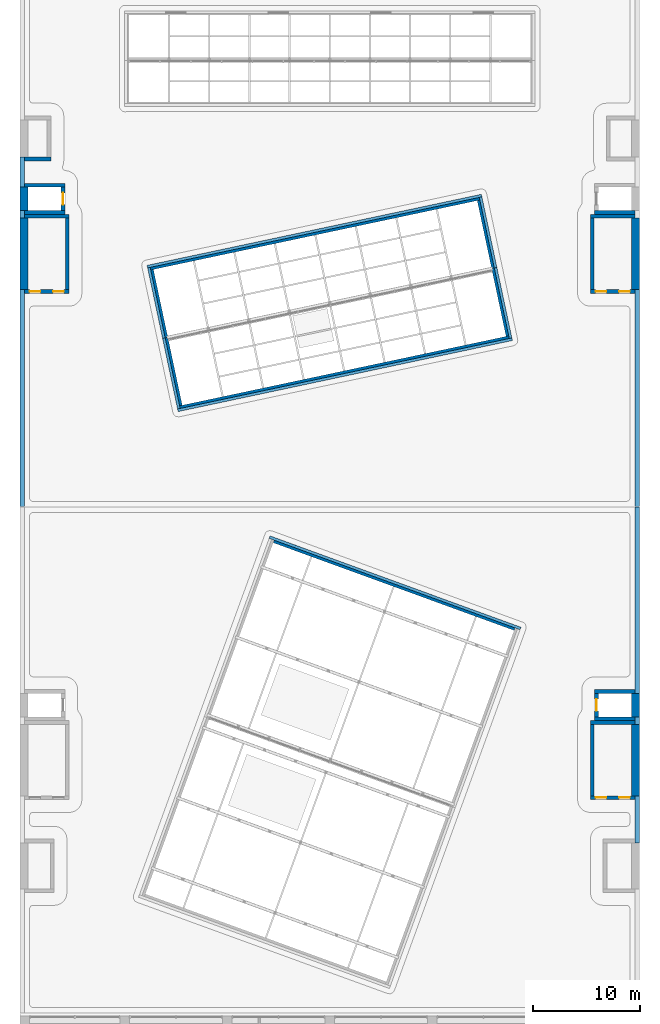
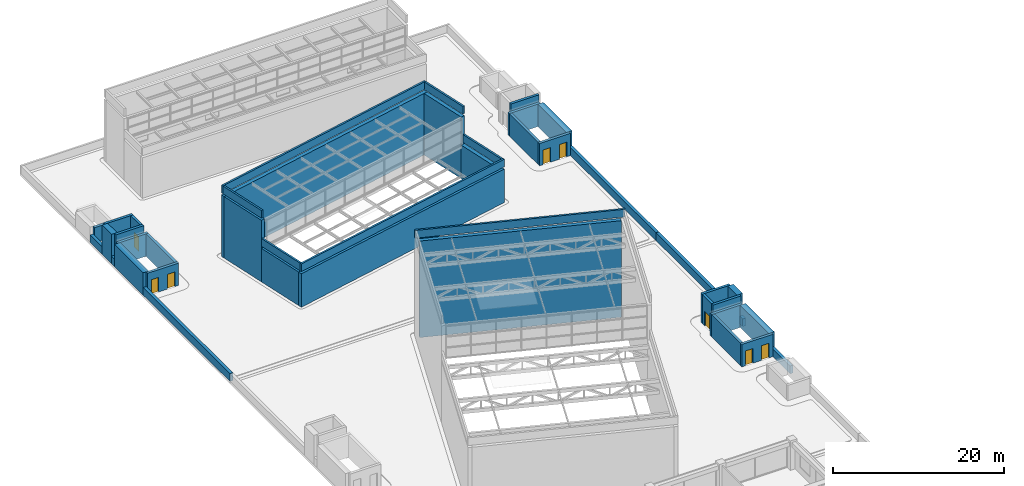
# One storey, part 63 of 72: 43 walls, 8 doors, 8 openings.
"""IFC4 building model written with IfcOpenShell, lengths in metres."""

from ifc_helpers import new_model, si_unit, direction, frame, frame_2d, origin, place, context, subcontext, project, spatial, rectangle, extrude, material, layer, layer_set, layer_usage, type_object, element, fill, save


model = new_model("IFC4")

# Units and contexts
model_context = context("Model", 3, precision=1e-05, world=origin(), true_north=direction((0.0, 1.0)))
body_context = subcontext(model_context, "Body", "Model", "MODEL_VIEW")
ifc_project = project(units=[si_unit("LENGTHUNIT", "METRE"), si_unit("AREAUNIT", "SQUARE_METRE"), si_unit("VOLUMEUNIT", "CUBIC_METRE"), si_unit("PLANEANGLEUNIT", "RADIAN"), si_unit("MASSUNIT", "GRAM", prefix="KILO")], contexts=[model_context])

# Site, building, storey
site_placement = place(None, origin())
site = spatial("IfcSite", under=ifc_project, at=site_placement, CompositionType="ELEMENT")
building_placement = place(site_placement, origin())
building = spatial("IfcBuilding", under=site, at=building_placement, Name="Nzadi Deep Aquarium and Research Tower", CompositionType="ELEMENT")
storey_placement = place(building_placement, frame((0.0, 0.0, 31.89990234375)))
storey = spatial("IfcBuildingStorey", under=building, at=storey_placement, Name="L05", CompositionType="ELEMENT", Elevation=31.89990234375)

# Walls
ifc_material_1 = material(Name="Graphite aluminium shingle", Category="aluminium")
ifc_layer_1 = layer(ifc_material_1, 0.050048828125, Category="cladding")
ifc_material_2 = material(Name="Concrete C35/45", Category="concrete")
ifc_layer_2 = layer(ifc_material_2, 0.199951171875, Category="structure")
ifc_layer_set_1 = layer_set([ifc_layer_1, ifc_layer_2], Name="Graphite aluminium shingle, Concrete C35/45")
ifc_layer_usage_1 = layer_usage(ifc_layer_set_1, "AXIS2", "POSITIVE", -0.125)
wall_type_1 = type_object("IfcWallType", Name="Parapet board-formed concrete 250 blade north roof", PredefinedType="PARAPET", material=ifc_layer_set_1)
wall_1_placement = place(storey_placement, frame((43.02099609375, 123.25146484375, 9.10009765625), z_axis=(0.0, 0.0, 1.0), x_axis=(-0.978146749934, -0.207915693476, 0.0)))
element("IfcWall", 1, at=wall_1_placement, inside=storey, type_object=wall_type_1, material=ifc_layer_usage_1, Name="Parapet", PredefinedType="PARAPET", context=body_context, shape_type="SweptSolid", body=[
    extrude(rectangle(XDim=32.0, YDim=0.25, at=frame_2d((16.0, 0.0))), origin(), (0.0, 0.0, 1.0), 1.10009765625),
])
ifc_layer_usage_2 = layer_usage(ifc_layer_set_1, "AXIS2", "POSITIVE", -0.125)
wall_2_placement = place(storey_placement, frame((44.328125, 116.50048828125, 9.10009765625), z_axis=(0.0, 0.0, 1.0), x_axis=(-0.207898552739, 0.978150393226, 0.0)))
element("IfcWall", 2, at=wall_2_placement, inside=storey, type_object=wall_type_1, material=ifc_layer_usage_2, Name="Parapet", PredefinedType="PARAPET", context=body_context, shape_type="SweptSolid", body=[
    extrude(rectangle(XDim=6.75, YDim=0.25, at=frame_2d((3.375, 0.0))), origin(), (0.0, 0.0, 1.0), 1.10009765625),
])
ifc_layer_usage_3 = layer_usage(ifc_layer_set_1, "AXIS2", "POSITIVE", -0.125)
wall_3_placement = place(storey_placement, frame((11.868408203125, 116.501953125, 9.10009765625), z_axis=(0.0, 0.0, 1.0), x_axis=(0.207933157916, -0.978143037515, 0.0)))
element("IfcWall", 3, at=wall_3_placement, inside=storey, type_object=wall_type_1, material=ifc_layer_usage_3, Name="Parapet", PredefinedType="PARAPET", context=body_context, shape_type="SweptSolid", body=[
    extrude(rectangle(XDim=6.75, YDim=0.25, at=frame_2d((3.375, 0.0))), origin(), (0.0, 0.0, 1.0), 1.10009765625),
])
ifc_layer_3 = layer(ifc_material_1, 0.050048828125, Category="cladding")
ifc_layer_4 = layer(ifc_material_2, 0.199951171875, Category="structure")
ifc_layer_set_2 = layer_set([ifc_layer_3, ifc_layer_4], Name="Graphite aluminium shingle, Concrete C35/45")
ifc_layer_usage_4 = layer_usage(ifc_layer_set_2, "AXIS2", "POSITIVE", -0.125)
wall_type_2 = type_object("IfcWallType", Name="Parapet board-formed concrete 250 blade south roof", PredefinedType="PARAPET", material=ifc_layer_set_2)
wall_4_placement = place(storey_placement, frame((14.5791015625, 103.148681640625, 5.10009765625), z_axis=(0.0, 0.0, 1.0), x_axis=(0.978148301511, 0.207908393895, 0.0)))
element("IfcWall", 4, at=wall_4_placement, inside=storey, type_object=wall_type_2, material=ifc_layer_usage_4, Name="Parapet", PredefinedType="PARAPET", context=body_context, shape_type="SweptSolid", body=[
    extrude(rectangle(XDim=32.0, YDim=0.25, at=frame_2d((16.0, 0.0))), origin(), (0.0, 0.0, 1.0), 1.10009765625),
])
ifc_layer_usage_5 = layer_usage(ifc_layer_set_2, "AXIS2", "POSITIVE", -0.125)
wall_5_placement = place(storey_placement, frame((45.7314453125, 109.898193359375, 5.10009765625), z_axis=(0.0, 0.0, 1.0), x_axis=(-0.207905908148, 0.97814882986, 0.0)))
element("IfcWall", 5, at=wall_5_placement, inside=storey, type_object=wall_type_2, material=ifc_layer_usage_5, Name="Parapet", PredefinedType="PARAPET", context=body_context, shape_type="SweptSolid", body=[
    extrude(rectangle(XDim=6.749755859375, YDim=0.25, at=frame_2d((3.375, 0.0))), origin(), (0.0, 0.0, 1.0), 1.10009765625),
])
ifc_layer_usage_6 = layer_usage(ifc_layer_set_2, "AXIS2", "POSITIVE", -0.125)
wall_6_placement = place(storey_placement, frame((13.27197265625, 109.8994140625, 5.10009765625), z_axis=(0.0, 0.0, 1.0), x_axis=(0.207898552739, -0.978150393226, 0.0)))
element("IfcWall", 6, at=wall_6_placement, inside=storey, type_object=wall_type_2, material=ifc_layer_usage_6, Name="Parapet", PredefinedType="PARAPET", context=body_context, shape_type="SweptSolid", body=[
    extrude(rectangle(XDim=6.75, YDim=0.25, at=frame_2d((3.375, 0.0))), origin(), (0.0, 0.0, 1.0), 1.10009765625),
])
ifc_layer_5 = layer(ifc_material_1, 0.050048828125, Category="cladding")
ifc_layer_6 = layer(ifc_material_2, 0.199951171875, Category="structure")
ifc_layer_set_3 = layer_set([ifc_layer_5, ifc_layer_6], Name="Graphite aluminium shingle, Concrete C35/45")
ifc_layer_usage_7 = layer_usage(ifc_layer_set_3, "AXIS2", "POSITIVE", -0.125)
wall_type_3 = type_object("IfcWallType", Name="Parapet board-formed concrete 250 prism north roof", PredefinedType="PARAPET", material=ifc_layer_set_3)
wall_7_placement = place(storey_placement, frame((46.659912109375, 82.7216796875, 14.10009765625), z_axis=(0.0, 0.0, 1.0), x_axis=(-0.939692733123, 0.342019834681, 0.0)))
element("IfcWall", 7, at=wall_7_placement, inside=storey, type_object=wall_type_3, material=ifc_layer_usage_7, Name="Parapet", PredefinedType="PARAPET", context=body_context, shape_type="SweptSolid", body=[
    extrude(rectangle(XDim=25.0, YDim=0.25, at=frame_2d((12.5, 0.0))), origin(), (0.0, 0.0, 1.0), 1.10009765625),
])
ifc_layer_7 = layer(ifc_material_2, 0.39990234375, Category="structure")
ifc_layer_set_4 = layer_set([ifc_layer_7], Name="Concrete C35/45")
ifc_layer_usage_8 = layer_usage(ifc_layer_set_4, "AXIS2", "POSITIVE", -0.199951171875)
wall_type_4 = type_object("IfcWallType", Name="Parapet board-formed concrete 400 podium roof", PredefinedType="PARAPET", material=ifc_layer_set_4)
wall_8_placement = place(storey_placement, frame((57.599609375, 94.1201171875, 0.0), z_axis=(0.0, 0.0, 1.0), x_axis=(0.0, 1.0, 0.0)))
element("IfcWall", 8, at=wall_8_placement, inside=storey, type_object=wall_type_4, material=ifc_layer_usage_8, Name="Parapet", PredefinedType="PARAPET", context=body_context, shape_type="SweptSolid", body=[
    extrude(rectangle(XDim=20.329833984375, YDim=0.39990234375, at=frame_2d((10.1650390625, 0.0))), origin(), (0.0, 0.0, 1.0), 1.10009765625),
])
ifc_layer_usage_9 = layer_usage(ifc_layer_set_4, "AXIS2", "POSITIVE", -0.199951171875)
wall_9_placement = place(storey_placement, frame((0.00048828125, 114.449951171875, 0.0), z_axis=(0.0, 0.0, 1.0), x_axis=(0.0, -1.0, 0.0)))
element("IfcWall", 9, at=wall_9_placement, inside=storey, type_object=wall_type_4, material=ifc_layer_usage_9, Name="Parapet", PredefinedType="PARAPET", context=body_context, shape_type="SweptSolid", body=[
    extrude(rectangle(XDim=20.329833984375, YDim=0.39990234375, at=frame_2d((10.1650390625, 0.0))), origin(), (0.0, 0.0, 1.0), 1.10009765625),
])
ifc_layer_usage_10 = layer_usage(ifc_layer_set_4, "AXIS2", "POSITIVE", -0.199951171875)
wall_10_placement = place(storey_placement, frame((0.00048828125, 121.85009765625, 0.0), z_axis=(0.0, 0.0, 1.0), x_axis=(0.0, -1.0, 0.0)))
element("IfcWall", 10, at=wall_10_placement, inside=storey, type_object=wall_type_4, material=ifc_layer_usage_10, Name="Parapet", PredefinedType="PARAPET", context=body_context, shape_type="SweptSolid", body=[
    extrude(rectangle(XDim=0.7001953125, YDim=0.39990234375, at=frame_2d((0.35009765625, 0.0))), origin(), (0.0, 0.0, 1.0), 1.10009765625),
])
ifc_layer_usage_11 = layer_usage(ifc_layer_set_4, "AXIS2", "POSITIVE", -0.199951171875)
wall_11_placement = place(storey_placement, frame((0.00048828125, 126.85009765625, 0.0), z_axis=(0.0, 0.0, 1.0), x_axis=(0.0, -1.0, 0.0)))
element("IfcWall", 11, at=wall_11_placement, inside=storey, type_object=wall_type_4, material=ifc_layer_usage_11, Name="Parapet", PredefinedType="PARAPET", context=body_context, shape_type="SweptSolid", body=[
    extrude(rectangle(XDim=2.800048828125, YDim=0.39990234375, at=frame_2d((1.39990234375, 0.0))), origin(), (0.0, 0.0, 1.0), 1.10009765625),
])
ifc_layer_usage_12 = layer_usage(ifc_layer_set_4, "AXIS2", "POSITIVE", -0.199951171875)
wall_12_placement = place(storey_placement, frame((57.599609375, 62.64990234375, 0.0), z_axis=(0.0, 0.0, 1.0), x_axis=(0.0, 1.0, 0.0)))
element("IfcWall", 12, at=wall_12_placement, inside=storey, type_object=wall_type_4, material=ifc_layer_usage_12, Name="Parapet", PredefinedType="PARAPET", context=body_context, shape_type="SweptSolid", body=[
    extrude(rectangle(XDim=4.400146484375, YDim=0.39990234375, at=frame_2d((2.2001953125, 0.0))), origin(), (0.0, 0.0, 1.0), 1.10009765625),
])
ifc_layer_usage_13 = layer_usage(ifc_layer_set_4, "AXIS2", "POSITIVE", -0.199951171875)
wall_13_placement = place(storey_placement, frame((57.599609375, 73.75, 0.0), z_axis=(0.0, 0.0, 1.0), x_axis=(0.0, 1.0, 0.0)))
element("IfcWall", 13, at=wall_13_placement, inside=storey, type_object=wall_type_4, material=ifc_layer_usage_13, Name="Parapet", PredefinedType="PARAPET", context=body_context, shape_type="SweptSolid", body=[
    extrude(rectangle(XDim=0.699951171875, YDim=0.39990234375, at=frame_2d((0.35009765625, 0.0))), origin(), (0.0, 0.0, 1.0), 1.10009765625),
])
ifc_layer_usage_14 = layer_usage(ifc_layer_set_4, "AXIS2", "POSITIVE", -0.199951171875)
wall_14_placement = place(storey_placement, frame((57.599609375, 76.64990234375, 0.0), z_axis=(0.0, 0.0, 1.0), x_axis=(0.0, 1.0, 0.0)))
element("IfcWall", 14, at=wall_14_placement, inside=storey, type_object=wall_type_4, material=ifc_layer_usage_14, Name="Parapet", PredefinedType="PARAPET", context=body_context, shape_type="SweptSolid", body=[
    extrude(rectangle(XDim=17.43017578125, YDim=0.39990234375, at=frame_2d((8.715087890625, 0.0))), origin(), (0.0, 0.0, 1.0), 1.10009765625),
])
ifc_material_3 = material(Name="Concrete C35/45", Category="concrete")
ifc_layer_8 = layer(ifc_material_3, 0.35009765625)
ifc_layer_set_5 = layer_set([ifc_layer_8], Name="Concrete C35/45")
wall_type_5 = type_object("IfcWallType", Name="RC core wall 350", PredefinedType="SHEAR", material=ifc_layer_set_5)
for number, where, z_axis, x_axis, name in (
    (15, (53.60009765625, 74.27490234375, 0.0), (0.0, 0.0, 1.0), (1.0, 0.0, 0.0), "W-CORE-PL4-L05-S"),
    (16, (53.60009765625, 76.824951171875, 0.0), (0.0, 0.0, 1.0), (1.0, 0.0, 0.0), "W-CORE-PL4-L05-N"),
):
    element("IfcWall", number, at=place(storey_placement, frame(where, z_axis=z_axis, x_axis=x_axis)), inside=storey, type_object=wall_type_5, Name=name, PredefinedType="SHEAR", context=body_context, shape_type="SweptSolid", body=[
        extrude(rectangle(XDim=3.7998046875, YDim=0.35009765625, at=frame_2d((1.89990234375, 0.0))), origin(), (0.0, 0.0, 1.0), 4.2001953125),
    ])

# Wall, opening, door
wall_15_placement = place(storey_placement, frame((53.77490234375, 74.449951171875, 0.0), z_axis=(0.0, 0.0, 1.0), x_axis=(0.0, 1.0, 0.0)))
wall_15 = element("IfcWall", 17, at=wall_15_placement, inside=storey, type_object=wall_type_5, Name="W-CORE-PL4-L05-W", PredefinedType="SHEAR", context=body_context, shape_type="SweptSolid", body=[
    extrude(rectangle(XDim=2.199951171875, YDim=0.35009765625, at=frame_2d((1.10009765625, 0.0))), origin(), (0.0, 0.0, 1.0), 4.2001953125),
])
opening_1_placement = place(wall_15_placement, frame((0.550048828125, 0.0, 0.0)))
opening_1 = element("IfcOpeningElement", 18, at=opening_1_placement, cuts=wall_15, Name="Opening LD-PL4-L05", PredefinedType="OPENING", context=body_context, shape_type="SweptSolid", body=[
    extrude(rectangle(XDim=1.10009765625, YDim=2.10009765625, at=frame_2d((0.550048828125, 1.050048828125))), frame((0.0, 0.18505859375, 0.0), z_axis=(0.0, -1.0, 0.0), x_axis=(1.0, 0.0, 0.0)), (0.0, 0.0, 1.0), 0.3701171875),
])
ifc_material_4 = material(Name="Stainless steel 1.4301", Category="steel")
door_type_1 = type_object("IfcDoorType", Name="LANDING DOOR 1100x2100", OperationType="DOUBLE_DOOR_SLIDING", PredefinedType="DOOR", material=ifc_material_4)
door_1_placement = place(opening_1_placement, origin())
door_1 = element("IfcDoor", 19, at=door_1_placement, inside=storey, type_object=door_type_1, Name="Landing door PL4 L05", OperationType="DOUBLE_DOOR_SLIDING", OverallHeight=2.10009765625, OverallWidth=1.10009765625, PredefinedType="DOOR", context=body_context, shape_type="SweptSolid", body=[
    extrude(rectangle(XDim=1.10009765625, YDim=2.10009765625, at=frame_2d((0.550048828125, 1.050048828125))), frame((0.0, 0.02490234375, 0.0), z_axis=(0.0, -1.0, 0.0), x_axis=(1.0, 0.0, 0.0)), (0.0, 0.0, 1.0), 0.050048828125),
])
fill(opening_1, door_1)

# Walls
for number, where, z_axis, x_axis, name in (
    (20, (0.199951171875, 121.675048828125, 0.0), (0.0, 0.0, 1.0), (1.0, 0.0, 0.0), "W-CORE-PL5-L05-S"),
    (21, (0.199951171875, 124.22509765625, 0.0), (0.0, 0.0, 1.0), (1.0, 0.0, 0.0), "W-CORE-PL5-L05-N"),
):
    element("IfcWall", number, at=place(storey_placement, frame(where, z_axis=z_axis, x_axis=x_axis)), inside=storey, type_object=wall_type_5, Name=name, PredefinedType="SHEAR", context=body_context, shape_type="SweptSolid", body=[
        extrude(rectangle(XDim=3.800048828125, YDim=0.35009765625, at=frame_2d((1.89990234375, 0.0))), origin(), (0.0, 0.0, 1.0), 4.2001953125),
    ])

# Wall, opening, door
wall_16_placement = place(storey_placement, frame((3.824951171875, 121.85009765625, 0.0), z_axis=(0.0, 0.0, 1.0), x_axis=(0.0, 1.0, 0.0)))
wall_16 = element("IfcWall", 22, at=wall_16_placement, inside=storey, type_object=wall_type_5, Name="W-CORE-PL5-L05-E", PredefinedType="SHEAR", context=body_context, shape_type="SweptSolid", body=[
    extrude(rectangle(XDim=2.199951171875, YDim=0.35009765625, at=frame_2d((1.10009765625, 0.0))), origin(), (0.0, 0.0, 1.0), 4.2001953125),
])
opening_2_placement = place(wall_16_placement, frame((0.550048828125, 0.0, 0.0)))
opening_2 = element("IfcOpeningElement", 23, at=opening_2_placement, cuts=wall_16, Name="Opening LD-PL5-L05", PredefinedType="OPENING", context=body_context, shape_type="SweptSolid", body=[
    extrude(rectangle(XDim=1.10009765625, YDim=2.10009765625, at=frame_2d((0.550048828125, 1.050048828125))), frame((0.0, 0.18505859375, 0.0), z_axis=(0.0, -1.0, 0.0), x_axis=(1.0, 0.0, 0.0)), (0.0, 0.0, 1.0), 0.3701171875),
])
door_2_placement = place(opening_2_placement, origin())
door_2 = element("IfcDoor", 24, at=door_2_placement, inside=storey, type_object=door_type_1, Name="Landing door PL5 L05", OperationType="DOUBLE_DOOR_SLIDING", OverallHeight=2.10009765625, OverallWidth=1.10009765625, PredefinedType="DOOR", context=body_context, shape_type="SweptSolid", body=[
    extrude(rectangle(XDim=1.10009765625, YDim=2.10009765625, at=frame_2d((0.550048828125, 1.050048828125))), frame((0.0, 0.02490234375, 0.0), z_axis=(0.0, -1.0, 0.0), x_axis=(1.0, 0.0, 0.0)), (0.0, 0.0, 1.0), 0.050048828125),
])
fill(opening_2, door_2)

# Walls
wall_17_placement = place(storey_placement, frame((53.60009765625, 121.675048828125, 0.0), z_axis=(0.0, 0.0, 1.0), x_axis=(1.0, 0.0, 0.0)))
element("IfcWall", 25, at=wall_17_placement, inside=storey, type_object=wall_type_5, Name="W-CORE-PL6-L05-S", PredefinedType="SHEAR", context=body_context, shape_type="SweptSolid", body=[
    extrude(rectangle(XDim=3.7998046875, YDim=0.35009765625, at=frame_2d((1.89990234375, 0.0))), origin(), (0.0, 0.0, 1.0), 4.2001953125),
])
ifc_material_5 = material(Name="Concrete C35/45", Category="concrete")
ifc_layer_9 = layer(ifc_material_5, 0.35009765625)
ifc_layer_set_6 = layer_set([ifc_layer_9], Name="Concrete C35/45")
wall_type_6 = type_object("IfcWallType", Name="RC core wall 350, 2.20 m high", PredefinedType="SHEAR", material=ifc_layer_set_6)
wall_18_placement = place(storey_placement, frame((0.199951171875, 126.675048828125, 0.0), z_axis=(0.0, 0.0, 1.0), x_axis=(1.0, 0.0, 0.0)))
element("IfcWall", 26, at=wall_18_placement, inside=storey, type_object=wall_type_6, Name="W-CORE-RS-Z3-W-L05-S", PredefinedType="SHEAR", context=body_context, shape_type="SweptSolid", body=[
    extrude(rectangle(XDim=2.5, YDim=0.35009765625, at=frame_2d((1.25, 0.0))), origin(), (0.0, 0.0, 1.0), 2.2001953125),
])

# Wall, openings, doors
ifc_material_6 = material(Name="Concrete C35/45", Category="concrete")
ifc_layer_10 = layer(ifc_material_6, 0.35009765625)
ifc_layer_set_7 = layer_set([ifc_layer_10], Name="Concrete C35/45")
wall_type_7 = type_object("IfcWallType", Name="RC core wall 350, 3.20 m high", PredefinedType="SHEAR", material=ifc_layer_set_7)
wall_19_placement = place(storey_placement, frame((53.199951171875, 66.875, 0.0), z_axis=(0.0, 0.0, 1.0), x_axis=(1.0, 0.0, 0.0)))
wall_19 = element("IfcWall", 27, at=wall_19_placement, inside=storey, type_object=wall_type_7, Name="W-CORE-ST-Z2-E-L05-S", PredefinedType="SHEAR", context=body_context, shape_type="SweptSolid", body=[
    extrude(rectangle(XDim=4.199951171875, YDim=0.35009765625, at=frame_2d((2.10009765625, 0.0))), origin(), (0.0, 0.0, 1.0), 3.2001953125),
])
opening_3_placement = place(wall_19_placement, frame((0.5, 0.0, 0.0)))
opening_3 = element("IfcOpeningElement", 28, at=opening_3_placement, cuts=wall_19, Name="Opening DS-Z2-E-L05A", PredefinedType="OPENING", context=body_context, shape_type="SweptSolid", body=[
    extrude(rectangle(XDim=1.0, YDim=2.10009765625, at=frame_2d((0.5, 1.050048828125))), frame((0.0, 0.18505859375, 0.0), z_axis=(0.0, -1.0, 0.0), x_axis=(1.0, 0.0, 0.0)), (0.0, 0.0, 1.0), 0.3701171875),
])
opening_4_placement = place(wall_19_placement, frame((2.699951171875, 0.0, 0.0)))
opening_4 = element("IfcOpeningElement", 29, at=opening_4_placement, cuts=wall_19, Name="Opening DS-Z2-E-L05B", PredefinedType="OPENING", context=body_context, shape_type="SweptSolid", body=[
    extrude(rectangle(XDim=1.0, YDim=2.10009765625, at=frame_2d((0.5, 1.050048828125))), frame((0.0, 0.18505859375, 0.0), z_axis=(0.0, -1.0, 0.0), x_axis=(1.0, 0.0, 0.0)), (0.0, 0.0, 1.0), 0.3701171875),
])
ifc_material_7 = material(Name="Steel, powder coated", Category="steel")
door_type_2 = type_object("IfcDoorType", Name="STAIR DOOR 1000x2100 EI 60", OperationType="SINGLE_SWING_LEFT", PredefinedType="DOOR", material=ifc_material_7)
door_3_placement = place(opening_3_placement, frame((1.0, 0.0, 0.0), z_axis=(0.0, 0.0, 1.0), x_axis=(-1.0, 0.0, 0.0)))
door_3 = element("IfcDoor", 30, at=door_3_placement, inside=storey, type_object=door_type_2, Name="Stair door ST-Z2-E head-house A", OperationType="SINGLE_SWING_LEFT", OverallHeight=2.10009765625, OverallWidth=1.0, PredefinedType="DOOR", context=body_context, shape_type="SweptSolid", body=[
    extrude(rectangle(XDim=1.0, YDim=2.10009765625, at=frame_2d((0.5, 1.050048828125))), frame((0.0, 0.02490234375, 0.0), z_axis=(0.0, -1.0, 0.0), x_axis=(1.0, 0.0, 0.0)), (0.0, 0.0, 1.0), 0.050048828125),
])
fill(opening_3, door_3)
door_4_placement = place(opening_4_placement, frame((1.0, 0.0, 0.0), z_axis=(0.0, 0.0, 1.0), x_axis=(-1.0, 0.0, 0.0)))
door_4 = element("IfcDoor", 31, at=door_4_placement, inside=storey, type_object=door_type_2, Name="Stair door ST-Z2-E head-house B", OperationType="SINGLE_SWING_RIGHT", OverallHeight=2.10009765625, OverallWidth=1.0, PredefinedType="DOOR", context=body_context, shape_type="SweptSolid", body=[
    extrude(rectangle(XDim=1.0, YDim=2.10009765625, at=frame_2d((0.5, 1.050048828125))), frame((0.0, 0.02490234375, 0.0), z_axis=(0.0, -1.0, 0.0), x_axis=(1.0, 0.0, 0.0)), (0.0, 0.0, 1.0), 0.050048828125),
])
fill(opening_4, door_4)

# Walls
wall_20_placement = place(storey_placement, frame((53.199951171875, 73.925048828125, 0.0), z_axis=(0.0, 0.0, 1.0), x_axis=(1.0, 0.0, 0.0)))
element("IfcWall", 32, at=wall_20_placement, inside=storey, type_object=wall_type_7, Name="W-CORE-ST-Z2-E-L05-N", PredefinedType="SHEAR", context=body_context, shape_type="SweptSolid", body=[
    extrude(rectangle(XDim=4.199951171875, YDim=0.35009765625, at=frame_2d((2.10009765625, 0.0))), origin(), (0.0, 0.0, 1.0), 3.2001953125),
])
wall_21_placement = place(storey_placement, frame((53.375, 67.050048828125, 0.0), z_axis=(0.0, 0.0, 1.0), x_axis=(0.0, 1.0, 0.0)))
element("IfcWall", 33, at=wall_21_placement, inside=storey, type_object=wall_type_7, Name="W-CORE-ST-Z2-E-L05-W", PredefinedType="SHEAR", context=body_context, shape_type="SweptSolid", body=[
    extrude(rectangle(XDim=6.699951171875, YDim=0.35009765625, at=frame_2d((3.35009765625, 0.0))), origin(), (0.0, 0.0, 1.0), 3.2001953125),
])

# Wall, openings, doors
wall_22_placement = place(storey_placement, frame((0.199951171875, 114.27490234375, 0.0), z_axis=(0.0, 0.0, 1.0), x_axis=(1.0, 0.0, 0.0)))
wall_22 = element("IfcWall", 34, at=wall_22_placement, inside=storey, type_object=wall_type_7, Name="W-CORE-ST-Z3-W-L05-S", PredefinedType="SHEAR", context=body_context, shape_type="SweptSolid", body=[
    extrude(rectangle(XDim=4.199951171875, YDim=0.35009765625, at=frame_2d((2.10009765625, 0.0))), origin(), (0.0, 0.0, 1.0), 3.2001953125),
])
opening_5_placement = place(wall_22_placement, frame((0.5, 0.0, 0.0)))
opening_5 = element("IfcOpeningElement", 35, at=opening_5_placement, cuts=wall_22, Name="Opening DS-Z3-W-L05A", PredefinedType="OPENING", context=body_context, shape_type="SweptSolid", body=[
    extrude(rectangle(XDim=1.0, YDim=2.10009765625, at=frame_2d((0.5, 1.050048828125))), frame((0.0, 0.18505859375, 0.0), z_axis=(0.0, -1.0, 0.0), x_axis=(1.0, 0.0, 0.0)), (0.0, 0.0, 1.0), 0.3701171875),
])
opening_6_placement = place(wall_22_placement, frame((2.699951171875, 0.0, 0.0)))
opening_6 = element("IfcOpeningElement", 36, at=opening_6_placement, cuts=wall_22, Name="Opening DS-Z3-W-L05B", PredefinedType="OPENING", context=body_context, shape_type="SweptSolid", body=[
    extrude(rectangle(XDim=1.0, YDim=2.10009765625, at=frame_2d((0.5, 1.050048828125))), frame((0.0, 0.18505859375, 0.0), z_axis=(0.0, -1.0, 0.0), x_axis=(1.0, 0.0, 0.0)), (0.0, 0.0, 1.0), 0.3701171875),
])
door_5_placement = place(opening_5_placement, frame((1.0, 0.0, 0.0), z_axis=(0.0, 0.0, 1.0), x_axis=(-1.0, 0.0, 0.0)))
door_5 = element("IfcDoor", 37, at=door_5_placement, inside=storey, type_object=door_type_2, Name="Stair door ST-Z3-W head-house A", OperationType="SINGLE_SWING_LEFT", OverallHeight=2.10009765625, OverallWidth=1.0, PredefinedType="DOOR", context=body_context, shape_type="SweptSolid", body=[
    extrude(rectangle(XDim=1.0, YDim=2.10009765625, at=frame_2d((0.5, 1.050048828125))), frame((0.0, 0.02490234375, 0.0), z_axis=(0.0, -1.0, 0.0), x_axis=(1.0, 0.0, 0.0)), (0.0, 0.0, 1.0), 0.050048828125),
])
fill(opening_5, door_5)
door_6_placement = place(opening_6_placement, frame((1.0, 0.0, 0.0), z_axis=(0.0, 0.0, 1.0), x_axis=(-1.0, 0.0, 0.0)))
door_6 = element("IfcDoor", 38, at=door_6_placement, inside=storey, type_object=door_type_2, Name="Stair door ST-Z3-W head-house B", OperationType="SINGLE_SWING_RIGHT", OverallHeight=2.10009765625, OverallWidth=1.0, PredefinedType="DOOR", context=body_context, shape_type="SweptSolid", body=[
    extrude(rectangle(XDim=1.0, YDim=2.10009765625, at=frame_2d((0.5, 1.050048828125))), frame((0.0, 0.02490234375, 0.0), z_axis=(0.0, -1.0, 0.0), x_axis=(1.0, 0.0, 0.0)), (0.0, 0.0, 1.0), 0.050048828125),
])
fill(opening_6, door_6)

# Walls
wall_23_placement = place(storey_placement, frame((0.199951171875, 121.324951171875, 0.0), z_axis=(0.0, 0.0, 1.0), x_axis=(1.0, 0.0, 0.0)))
element("IfcWall", 39, at=wall_23_placement, inside=storey, type_object=wall_type_7, Name="W-CORE-ST-Z3-W-L05-N", PredefinedType="SHEAR", context=body_context, shape_type="SweptSolid", body=[
    extrude(rectangle(XDim=4.199951171875, YDim=0.35009765625, at=frame_2d((2.10009765625, 0.0))), origin(), (0.0, 0.0, 1.0), 3.2001953125),
])
wall_24_placement = place(storey_placement, frame((4.22509765625, 114.449951171875, 0.0), z_axis=(0.0, 0.0, 1.0), x_axis=(0.0, 1.0, 0.0)))
element("IfcWall", 40, at=wall_24_placement, inside=storey, type_object=wall_type_7, Name="W-CORE-ST-Z3-W-L05-E", PredefinedType="SHEAR", context=body_context, shape_type="SweptSolid", body=[
    extrude(rectangle(XDim=6.699951171875, YDim=0.35009765625, at=frame_2d((3.35009765625, 0.0))), origin(), (0.0, 0.0, 1.0), 3.2001953125),
])

# Wall, openings, doors
wall_25_placement = place(storey_placement, frame((53.199951171875, 114.27490234375, 0.0), z_axis=(0.0, 0.0, 1.0), x_axis=(1.0, 0.0, 0.0)))
wall_25 = element("IfcWall", 41, at=wall_25_placement, inside=storey, type_object=wall_type_7, Name="W-CORE-ST-Z3-E-L05-S", PredefinedType="SHEAR", context=body_context, shape_type="SweptSolid", body=[
    extrude(rectangle(XDim=4.199951171875, YDim=0.35009765625, at=frame_2d((2.10009765625, 0.0))), origin(), (0.0, 0.0, 1.0), 3.2001953125),
])
opening_7_placement = place(wall_25_placement, frame((0.5, 0.0, 0.0)))
opening_7 = element("IfcOpeningElement", 42, at=opening_7_placement, cuts=wall_25, Name="Opening DS-Z3-E-L05A", PredefinedType="OPENING", context=body_context, shape_type="SweptSolid", body=[
    extrude(rectangle(XDim=1.0, YDim=2.10009765625, at=frame_2d((0.5, 1.050048828125))), frame((0.0, 0.18505859375, 0.0), z_axis=(0.0, -1.0, 0.0), x_axis=(1.0, 0.0, 0.0)), (0.0, 0.0, 1.0), 0.3701171875),
])
opening_8_placement = place(wall_25_placement, frame((2.699951171875, 0.0, 0.0)))
opening_8 = element("IfcOpeningElement", 43, at=opening_8_placement, cuts=wall_25, Name="Opening DS-Z3-E-L05B", PredefinedType="OPENING", context=body_context, shape_type="SweptSolid", body=[
    extrude(rectangle(XDim=1.0, YDim=2.10009765625, at=frame_2d((0.5, 1.050048828125))), frame((0.0, 0.18505859375, 0.0), z_axis=(0.0, -1.0, 0.0), x_axis=(1.0, 0.0, 0.0)), (0.0, 0.0, 1.0), 0.3701171875),
])
door_7_placement = place(opening_7_placement, frame((1.0, 0.0, 0.0), z_axis=(0.0, 0.0, 1.0), x_axis=(-1.0, 0.0, 0.0)))
door_7 = element("IfcDoor", 44, at=door_7_placement, inside=storey, type_object=door_type_2, Name="Stair door ST-Z3-E head-house A", OperationType="SINGLE_SWING_LEFT", OverallHeight=2.10009765625, OverallWidth=1.0, PredefinedType="DOOR", context=body_context, shape_type="SweptSolid", body=[
    extrude(rectangle(XDim=1.0, YDim=2.10009765625, at=frame_2d((0.5, 1.050048828125))), frame((0.0, 0.02490234375, 0.0), z_axis=(0.0, -1.0, 0.0), x_axis=(1.0, 0.0, 0.0)), (0.0, 0.0, 1.0), 0.050048828125),
])
fill(opening_7, door_7)
door_8_placement = place(opening_8_placement, frame((1.0, 0.0, 0.0), z_axis=(0.0, 0.0, 1.0), x_axis=(-1.0, 0.0, 0.0)))
door_8 = element("IfcDoor", 45, at=door_8_placement, inside=storey, type_object=door_type_2, Name="Stair door ST-Z3-E head-house B", OperationType="SINGLE_SWING_RIGHT", OverallHeight=2.10009765625, OverallWidth=1.0, PredefinedType="DOOR", context=body_context, shape_type="SweptSolid", body=[
    extrude(rectangle(XDim=1.0, YDim=2.10009765625, at=frame_2d((0.5, 1.050048828125))), frame((0.0, 0.02490234375, 0.0), z_axis=(0.0, -1.0, 0.0), x_axis=(1.0, 0.0, 0.0)), (0.0, 0.0, 1.0), 0.050048828125),
])
fill(opening_8, door_8)

# Walls
wall_26_placement = place(storey_placement, frame((53.199951171875, 121.324951171875, 0.0), z_axis=(0.0, 0.0, 1.0), x_axis=(1.0, 0.0, 0.0)))
element("IfcWall", 46, at=wall_26_placement, inside=storey, type_object=wall_type_7, Name="W-CORE-ST-Z3-E-L05-N", PredefinedType="SHEAR", context=body_context, shape_type="SweptSolid", body=[
    extrude(rectangle(XDim=4.199951171875, YDim=0.35009765625, at=frame_2d((2.10009765625, 0.0))), origin(), (0.0, 0.0, 1.0), 3.2001953125),
])
wall_27_placement = place(storey_placement, frame((53.375, 114.449951171875, 0.0), z_axis=(0.0, 0.0, 1.0), x_axis=(0.0, 1.0, 0.0)))
element("IfcWall", 47, at=wall_27_placement, inside=storey, type_object=wall_type_7, Name="W-CORE-ST-Z3-E-L05-W", PredefinedType="SHEAR", context=body_context, shape_type="SweptSolid", body=[
    extrude(rectangle(XDim=6.699951171875, YDim=0.35009765625, at=frame_2d((3.35009765625, 0.0))), origin(), (0.0, 0.0, 1.0), 3.2001953125),
])
ifc_material_8 = material(Name="Concrete C35/45", Category="concrete")
ifc_layer_11 = layer(ifc_material_8, 0.75)
ifc_layer_set_8 = layer_set([ifc_layer_11], Name="Concrete C35/45")
wall_type_8 = type_object("IfcWallType", Name="RC core wall 750", PredefinedType="SHEAR", material=ifc_layer_set_8)
for number, where, z_axis, x_axis, name in (
    (48, (57.424560546875, 74.449951171875, 0.0), (0.0, 0.0, 1.0), (0.0, 1.0, 0.0), "W-CORE-PL4-L05-E"),
    (49, (0.175537109375, 121.85009765625, 0.0), (0.0, 0.0, 1.0), (0.0, 1.0, 0.0), "W-CORE-PL5-L05-W"),
):
    element("IfcWall", number, at=place(storey_placement, frame(where, z_axis=z_axis, x_axis=x_axis)), inside=storey, type_object=wall_type_8, Name=name, PredefinedType="SHEAR", context=body_context, shape_type="SweptSolid", body=[
        extrude(rectangle(XDim=2.199951171875, YDim=0.75, at=frame_2d((1.10009765625, 0.0))), origin(), (0.0, 0.0, 1.0), 4.2001953125),
    ])
ifc_material_9 = material(Name="Concrete C35/45", Category="concrete")
ifc_layer_12 = layer(ifc_material_9, 0.75)
ifc_layer_set_9 = layer_set([ifc_layer_12], Name="Concrete C35/45")
wall_type_9 = type_object("IfcWallType", Name="RC core wall 750, 3.20 m high", PredefinedType="SHEAR", material=ifc_layer_set_9)
for number, where, z_axis, x_axis, name in (
    (50, (57.424560546875, 67.050048828125, 0.0), (0.0, 0.0, 1.0), (0.0, 1.0, 0.0), "W-CORE-ST-Z2-E-L05-E"),
    (51, (0.175537109375, 114.449951171875, 0.0), (0.0, 0.0, 1.0), (0.0, 1.0, 0.0), "W-CORE-ST-Z3-W-L05-W"),
    (52, (57.424560546875, 114.449951171875, 0.0), (0.0, 0.0, 1.0), (0.0, 1.0, 0.0), "W-CORE-ST-Z3-E-L05-E"),
):
    element("IfcWall", number, at=place(storey_placement, frame(where, z_axis=z_axis, x_axis=x_axis)), inside=storey, type_object=wall_type_9, Name=name, PredefinedType="SHEAR", context=body_context, shape_type="SweptSolid", body=[
        extrude(rectangle(XDim=6.699951171875, YDim=0.75, at=frame_2d((3.35009765625, 0.0))), origin(), (0.0, 0.0, 1.0), 3.2001953125),
    ])
ifc_layer_13 = layer(ifc_material_1, 0.050048828125, Category="cladding")
ifc_layer_14 = layer(ifc_material_2, 0.449951171875, Category="structure")
ifc_layer_set_10 = layer_set([ifc_layer_13, ifc_layer_14], Name="Graphite aluminium shingle, Concrete C35/45")
ifc_layer_usage_15 = layer_usage(ifc_layer_set_10, "AXIS2", "POSITIVE", -0.25)
wall_type_10 = type_object("IfcWallType", Name="Shard wall graphite shingle over reinforced concrete 500, 4.80 m high", PredefinedType="SHEAR", material=ifc_layer_set_10)
wall_28_placement = place(storey_placement, frame((14.552978515625, 103.27099609375, 0.0), z_axis=(0.0, 0.0, 1.0), x_axis=(0.978148301511, 0.207908393895, 0.0)))
element("IfcWall", 53, at=wall_28_placement, inside=storey, type_object=wall_type_10, material=ifc_layer_usage_15, Name="W-BL-L05-S", PredefinedType="SHEAR", context=body_context, shape_type="SweptSolid", body=[
    extrude(rectangle(XDim=32.0, YDim=0.5, at=frame_2d((16.0, 0.0))), origin(), (0.0, 0.0, 1.0), 4.800048828125),
])
ifc_layer_usage_16 = layer_usage(ifc_layer_set_10, "AXIS2", "POSITIVE", -0.25)
wall_29_placement = place(storey_placement, frame((14.74560546875, 103.5673828125, 0.0), z_axis=(0.0, 0.0, 1.0), x_axis=(-0.207897388677, 0.978150640638, 0.0)))
element("IfcWall", 54, at=wall_29_placement, inside=storey, type_object=wall_type_10, material=ifc_layer_usage_16, Name="W-BL-L05-W1", PredefinedType="SHEAR", context=body_context, shape_type="SweptSolid", body=[
    extrude(rectangle(XDim=6.5, YDim=0.5, at=frame_2d((3.25, 0.0))), origin(), (0.0, 0.0, 1.0), 4.800048828125),
])
ifc_layer_usage_17 = layer_usage(ifc_layer_set_10, "AXIS2", "POSITIVE", -0.25)
wall_30_placement = place(storey_placement, frame((45.557373046875, 110.11669921875, 0.0), z_axis=(0.0, 0.0, 1.0), x_axis=(-0.207933325345, 0.978143001923, 0.0)))
element("IfcWall", 55, at=wall_30_placement, inside=storey, type_object=wall_type_10, material=ifc_layer_usage_17, Name="W-BL-L05-E1", PredefinedType="SHEAR", context=body_context, shape_type="SweptSolid", body=[
    extrude(rectangle(XDim=6.5, YDim=0.5, at=frame_2d((3.25, 0.0))), origin(), (0.0, 0.0, 1.0), 4.800048828125),
])
ifc_material_10 = material(Name="Pewter aluminium shingle", Category="aluminium")
ifc_layer_15 = layer(ifc_material_10, 0.050048828125, Category="cladding")
ifc_layer_16 = layer(ifc_material_2, 0.449951171875, Category="structure")
ifc_layer_set_11 = layer_set([ifc_layer_15, ifc_layer_16], Name="Pewter aluminium shingle, Concrete C35/45")
ifc_layer_usage_18 = layer_usage(ifc_layer_set_11, "AXIS2", "POSITIVE", -0.25)
wall_type_11 = type_object("IfcWallType", Name="Shard wall pewter shingle over reinforced concrete 500, 13.80 m high", PredefinedType="SHEAR", material=ifc_layer_set_11)
wall_31_placement = place(storey_placement, frame((23.594482421875, 90.98388671875, 0.0), z_axis=(0.0, 0.0, 1.0), x_axis=(0.939692994673, -0.342019116079, 0.0)))
element("IfcWall", 56, at=wall_31_placement, inside=storey, type_object=wall_type_11, material=ifc_layer_usage_18, Name="W-PR-L05-N", PredefinedType="SHEAR", context=body_context, shape_type="SweptSolid", body=[
    extrude(rectangle(XDim=24.0, YDim=0.5, at=frame_2d((12.0, 0.0))), origin(), (0.0, 0.0, 1.0), 13.800048828125),
])
ifc_layer_17 = layer(ifc_material_10, 0.050048828125, Category="cladding")
ifc_layer_18 = layer(ifc_material_2, 0.449951171875, Category="structure")
ifc_layer_set_12 = layer_set([ifc_layer_17, ifc_layer_18], Name="Pewter aluminium shingle, Concrete C35/45")
ifc_layer_usage_19 = layer_usage(ifc_layer_set_12, "AXIS2", "POSITIVE", -0.25)
wall_type_12 = type_object("IfcWallType", Name="Shard wall pewter shingle over reinforced concrete 500, 8.80 m high", PredefinedType="SHEAR", material=ifc_layer_set_12)
wall_32_placement = place(storey_placement, frame((11.746337890625, 116.475830078125, 0.0), z_axis=(0.0, 0.0, 1.0), x_axis=(0.978146420121, 0.207917245089, 0.0)))
element("IfcWall", 57, at=wall_32_placement, inside=storey, type_object=wall_type_12, material=ifc_layer_usage_19, Name="W-BL-L05-N", PredefinedType="SHEAR", context=body_context, shape_type="SweptSolid", body=[
    extrude(rectangle(XDim=31.999755859375, YDim=0.5, at=frame_2d((16.0, 0.0))), origin(), (0.0, 0.0, 1.0), 8.800048828125),
])
ifc_layer_usage_20 = layer_usage(ifc_layer_set_12, "AXIS2", "POSITIVE", -0.25)
wall_33_placement = place(storey_placement, frame((13.394287109375, 109.92529296875, 0.0), z_axis=(0.0, 0.0, 1.0), x_axis=(-0.207925686304, 0.978144625797, 0.0)))
element("IfcWall", 58, at=wall_33_placement, inside=storey, type_object=wall_type_12, material=ifc_layer_usage_20, Name="W-BL-L05-W2", PredefinedType="SHEAR", context=body_context, shape_type="SweptSolid", body=[
    extrude(rectangle(XDim=6.500244140625, YDim=0.5, at=frame_2d((3.25, 0.0))), origin(), (0.0, 0.0, 1.0), 8.800048828125),
])
ifc_layer_usage_21 = layer_usage(ifc_layer_set_12, "AXIS2", "POSITIVE", -0.25)
wall_34_placement = place(storey_placement, frame((44.205810546875, 116.474609375, 0.0), z_axis=(0.0, 0.0, 1.0), x_axis=(-0.207897388677, 0.978150640638, 0.0)))
element("IfcWall", 59, at=wall_34_placement, inside=storey, type_object=wall_type_12, material=ifc_layer_usage_21, Name="W-BL-L05-E2", PredefinedType="SHEAR", context=body_context, shape_type="SweptSolid", body=[
    extrude(rectangle(XDim=6.5, YDim=0.5, at=frame_2d((3.25, 0.0))), origin(), (0.0, 0.0, 1.0), 8.800048828125),
])

save(model, "model.ifc")
